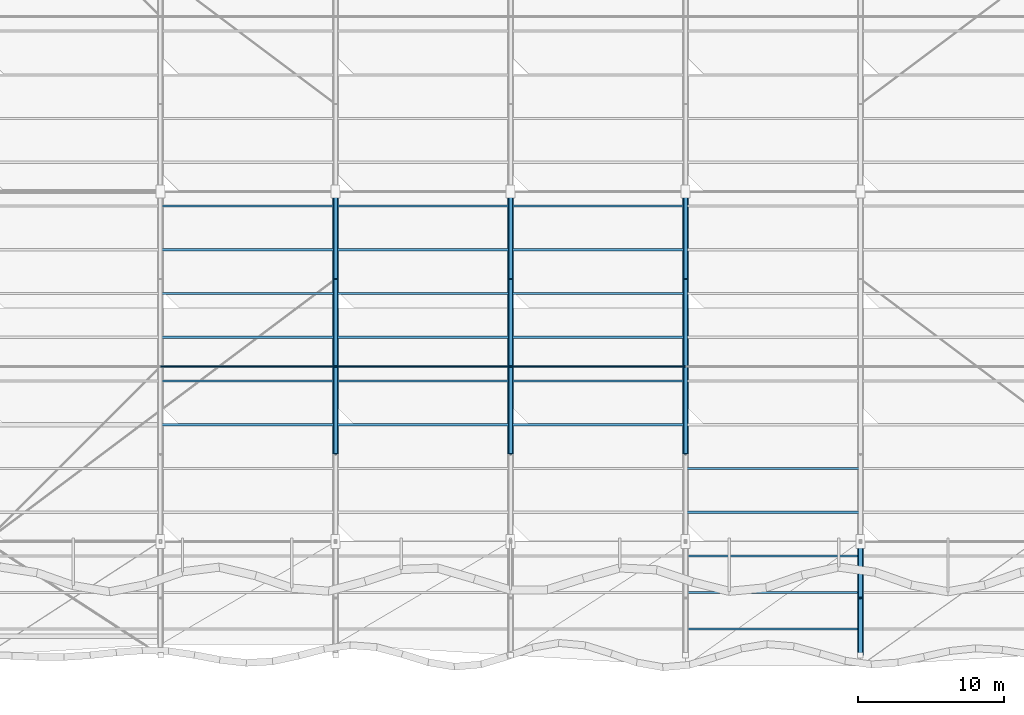
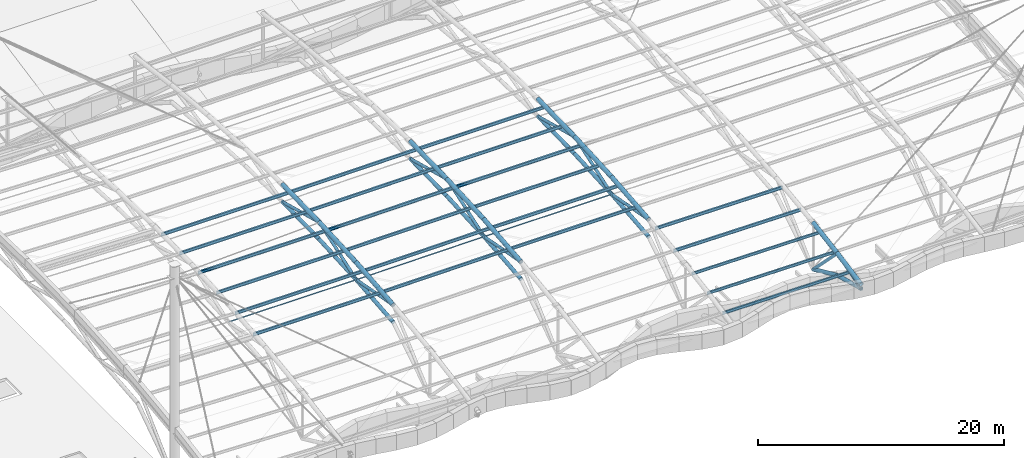
# One storey, part 9 of 29: 59 members.
"""IFC4 building model written with IfcOpenShell, lengths in metres."""

from ifc_helpers import new_model, si_unit, direction, frame, origin, origin_2d, place, context, subcontext, project, spatial, hollow_circle, i_section, extrude, material, material_profile, profile_set, type_object, element, save


model = new_model("IFC4")

# Units and contexts
model_context = context("Model", 3, precision=1e-05, world=origin(), true_north=direction((0.0, 1.0)))
body_context = subcontext(model_context, "Body", "Model", "MODEL_VIEW")
ifc_project = project(units=[si_unit("LENGTHUNIT", "METRE"), si_unit("AREAUNIT", "SQUARE_METRE"), si_unit("VOLUMEUNIT", "CUBIC_METRE"), si_unit("PLANEANGLEUNIT", "RADIAN"), si_unit("MASSUNIT", "GRAM", prefix="KILO")], contexts=[model_context])

# Site, building, storey
site_placement = place(None, origin())
site = spatial("IfcSite", under=ifc_project, at=site_placement, CompositionType="ELEMENT")
building_placement = place(site_placement, origin())
building = spatial("IfcBuilding", under=site, at=building_placement, Name="Keelwater Ferry Terminal", CompositionType="ELEMENT")
storey_placement = place(building_placement, frame((0.0, 0.0, 27.89990234375)))
storey = spatial("IfcBuildingStorey", under=building, at=storey_placement, Name="RF", CompositionType="ELEMENT", Elevation=27.89990234375)

# Members
ifc_material_1 = material(Name="Steel S355", Category="steel")
ifc_material_profile_1 = material_profile(ifc_material_1, hollow_circle(Radius=0.136474609375, WallThickness=0.012451171875, at=origin_2d()), Name="CHS 273x12.5")
ifc_profile_set_1 = profile_set([ifc_material_profile_1], Name="Steel S355")
member_type_1 = type_object("IfcMemberType", Name="BR2 CHS 273x12.5", PredefinedType="BRACE", material=ifc_profile_set_1)
member_1_placement = place(storey_placement, frame((72.0, 48.0, -7.637939453125), z_axis=(0.0, 0.982959013804, -0.183824854632), x_axis=(-1.0, 0.0, 0.0)))
element("IfcMember", 1, at=member_1_placement, inside=storey, type_object=member_type_1, Name="Structural Member MB-RF-0078", PredefinedType="BRACE", context=body_context, shape_type="SweptSolid", body=[
    extrude(hollow_circle(Radius=0.136474609375, WallThickness=0.012451171875, at=origin_2d()), origin(), (0.0, 0.0, 1.0), 6.10400390625),
])
member_2_placement = place(storey_placement, frame((72.0, 54.0, -8.760009765625), z_axis=(0.0, 0.946429966212, 0.322909149849), x_axis=(-1.0, 0.0, 0.0)))
element("IfcMember", 2, at=member_2_placement, inside=storey, type_object=member_type_1, Name="Structural Member MB-RF-0081", PredefinedType="BRACE", context=body_context, shape_type="SweptSolid", body=[
    extrude(hollow_circle(Radius=0.136474609375, WallThickness=0.012451171875, at=origin_2d()), origin(), (0.0, 0.0, 1.0), 6.339599609375),
])
member_3_placement = place(storey_placement, frame((72.0, 60.0, -6.712890625), z_axis=(0.0, 0.966835622723, -0.255399449166), x_axis=(-1.0, 0.0, 0.0)))
element("IfcMember", 3, at=member_3_placement, inside=storey, type_object=member_type_1, Name="Structural Member MB-RF-0084", PredefinedType="BRACE", context=body_context, shape_type="SweptSolid", body=[
    extrude(hollow_circle(Radius=0.136474609375, WallThickness=0.012451171875, at=origin_2d()), origin(), (0.0, 0.0, 1.0), 6.205810546875),
])
member_4_placement = place(storey_placement, frame((84.0, 48.0, -7.555908203125), z_axis=(0.0, 0.982959013804, -0.183824854632), x_axis=(-1.0, 0.0, 0.0)))
element("IfcMember", 4, at=member_4_placement, inside=storey, type_object=member_type_1, Name="Structural Member MB-RF-0110", PredefinedType="BRACE", context=body_context, shape_type="SweptSolid", body=[
    extrude(hollow_circle(Radius=0.136474609375, WallThickness=0.012451171875, at=origin_2d()), origin(), (0.0, 0.0, 1.0), 6.10400390625),
])
member_5_placement = place(storey_placement, frame((84.0, 54.0, -8.677978515625), z_axis=(0.0, 0.946429966212, 0.322909149849), x_axis=(-1.0, 0.0, 0.0)))
element("IfcMember", 5, at=member_5_placement, inside=storey, type_object=member_type_1, Name="Structural Member MB-RF-0113", PredefinedType="BRACE", context=body_context, shape_type="SweptSolid", body=[
    extrude(hollow_circle(Radius=0.136474609375, WallThickness=0.012451171875, at=origin_2d()), origin(), (0.0, 0.0, 1.0), 6.339599609375),
])
member_6_placement = place(storey_placement, frame((84.0, 60.0, -6.630859375), z_axis=(0.0, 0.96687447052, -0.255252342315), x_axis=(-1.0, 0.0, 0.0)))
element("IfcMember", 6, at=member_6_placement, inside=storey, type_object=member_type_1, Name="Structural Member MB-RF-0116", PredefinedType="BRACE", context=body_context, shape_type="SweptSolid", body=[
    extrude(hollow_circle(Radius=0.136474609375, WallThickness=0.012451171875, at=origin_2d()), origin(), (0.0, 0.0, 1.0), 6.20556640625),
])
member_7_placement = place(storey_placement, frame((96.0, 48.0, -7.555908203125), z_axis=(0.0, 0.982959013804, -0.183824854632), x_axis=(-1.0, 0.0, 0.0)))
element("IfcMember", 7, at=member_7_placement, inside=storey, type_object=member_type_1, Name="Structural Member MB-RF-0142", PredefinedType="BRACE", context=body_context, shape_type="SweptSolid", body=[
    extrude(hollow_circle(Radius=0.136474609375, WallThickness=0.012451171875, at=origin_2d()), origin(), (0.0, 0.0, 1.0), 6.10400390625),
])
member_8_placement = place(storey_placement, frame((96.0, 54.0, -8.677978515625), z_axis=(0.0, 0.946429966212, 0.322909149849), x_axis=(-1.0, 0.0, 0.0)))
element("IfcMember", 8, at=member_8_placement, inside=storey, type_object=member_type_1, Name="Structural Member MB-RF-0145", PredefinedType="BRACE", context=body_context, shape_type="SweptSolid", body=[
    extrude(hollow_circle(Radius=0.136474609375, WallThickness=0.012451171875, at=origin_2d()), origin(), (0.0, 0.0, 1.0), 6.339599609375),
])
member_9_placement = place(storey_placement, frame((96.0, 60.0, -6.630859375), z_axis=(0.0, 0.96687447052, -0.255252342315), x_axis=(-1.0, 0.0, 0.0)))
element("IfcMember", 9, at=member_9_placement, inside=storey, type_object=member_type_1, Name="Structural Member MB-RF-0148", PredefinedType="BRACE", context=body_context, shape_type="SweptSolid", body=[
    extrude(hollow_circle(Radius=0.136474609375, WallThickness=0.012451171875, at=origin_2d()), origin(), (0.0, 0.0, 1.0), 6.20556640625),
])
ifc_material_2 = material(Name="Steel S355", Category="steel")
ifc_material_profile_2 = material_profile(ifc_material_2, hollow_circle(Radius=0.136474609375, WallThickness=0.012451171875, at=origin_2d()), Name="CHS 273x12.5")
ifc_profile_set_2 = profile_set([ifc_material_profile_2], Name="Steel S355")
member_type_2 = type_object("IfcMemberType", Name="BR2E CHS 273x12.5", PredefinedType="BRACE", material=ifc_profile_set_2)
member_10_placement = place(storey_placement, frame((108.0, 34.199951171875, -10.245849609375), z_axis=(0.0, 0.959309065387, 0.282358136178), x_axis=(-1.0, 0.0, 0.0)))
element("IfcMember", 10, at=member_10_placement, inside=storey, type_object=member_type_2, Name="Structural Member MB-RF-0164", PredefinedType="BRACE", context=body_context, shape_type="SweptSolid", body=[
    extrude(hollow_circle(Radius=0.136474609375, WallThickness=0.012451171875, at=origin_2d()), origin(), (0.0, 0.0, 1.0), 4.065673828125),
])
member_11_placement = place(storey_placement, frame((108.0, 38.10009765625, -9.097900390625), z_axis=(0.0, 0.702408258848, -0.711774288593), x_axis=(-1.0, 0.0, 0.0)))
element("IfcMember", 11, at=member_11_placement, inside=storey, type_object=member_type_2, Name="Structural Member MB-RF-0167", PredefinedType="BRACE", context=body_context, shape_type="SweptSolid", body=[
    extrude(hollow_circle(Radius=0.136474609375, WallThickness=0.012451171875, at=origin_2d()), origin(), (0.0, 0.0, 1.0), 5.55224609375),
])
ifc_material_3 = material(Name="Steel S355", Category="steel")
ifc_material_profile_3 = material_profile(ifc_material_3, i_section(OverallWidth=0.14990234375, OverallDepth=0.300048828125, WebThickness=0.007080078125, FlangeThickness=0.0107421875, at=origin_2d()), Name="IPE 300")
ifc_profile_set_3 = profile_set([ifc_material_profile_3], Name="Steel S355")
member_type_3 = type_object("IfcMemberType", Name="PR1 IPE 300", PredefinedType="PURLIN", material=ifc_profile_set_3)
for number, where, z_axis, x_axis, name in (
    (12, (60.0, 50.0, -7.575927734375), (0.999999327586, 0.0, -0.001159667189), (0.0, 1.0, 0.0), "Structural Member MB-RF-0277"),
    (13, (60.0, 53.0, -7.2958984375), (0.999999327586, 0.0, -0.001159667189), (0.0, 1.0, 0.0), "Structural Member MB-RF-0278"),
    (14, (60.0, 56.0, -7.074951171875), (0.999999327586, 0.0, -0.001159667189), (0.0, 1.0, 0.0), "Structural Member MB-RF-0279"),
    (15, (60.0, 59.0, -6.910888671875), (0.999999327586, 0.0, -0.001159667189), (0.0, 1.0, 0.0), "Structural Member MB-RF-0280"),
    (16, (60.0, 62.0, -6.804931640625), (0.999999327586, 0.0, -0.001159667189), (0.0, 1.0, 0.0), "Structural Member MB-RF-0281"),
    (17, (60.0, 65.0, -6.7568359375), (0.999999303785, 0.0, -0.001180012199), (0.0, 1.0, 0.0), "Structural Member MB-RF-0282"),
):
    element("IfcMember", number, at=place(storey_placement, frame(where, z_axis=z_axis, x_axis=x_axis)), inside=storey, type_object=member_type_3, Name=name, PredefinedType="PURLIN", context=body_context, shape_type="SweptSolid", body=[
        extrude(i_section(OverallWidth=0.14990234375, OverallDepth=0.300048828125, WebThickness=0.007080078125, FlangeThickness=0.0107421875, at=origin_2d()), origin(), (0.0, 0.0, 1.0), 12.0),
    ])
for number, where, z_axis, x_axis, name in (
    (18, (72.0, 50.0, -7.58984375), (0.999976076216, 0.0, 0.00691715222), (0.0, 1.0, 0.0), "Structural Member MB-RF-0296"),
    (19, (72.0, 53.0, -7.309814453125), (0.999976635798, 0.0, 0.006835777784), (0.0, 1.0, 0.0), "Structural Member MB-RF-0297"),
    (20, (72.0, 56.0, -7.0888671875), (0.999976076216, 0.0, 0.00691715222), (0.0, 1.0, 0.0), "Structural Member MB-RF-0298"),
    (21, (72.0, 59.0, -6.9248046875), (0.999976774659, 0.0, 0.006815434153), (0.0, 1.0, 0.0), "Structural Member MB-RF-0299"),
    (22, (72.0, 62.0, -6.81884765625), (0.999976635798, 0.0, 0.006835777784), (0.0, 1.0, 0.0), "Structural Member MB-RF-0300"),
    (23, (72.0, 65.0, -6.77099609375), (0.999976076216, 0.0, 0.00691715222), (0.0, 1.0, 0.0), "Structural Member MB-RF-0301"),
):
    element("IfcMember", number, at=place(storey_placement, frame(where, z_axis=z_axis, x_axis=x_axis)), inside=storey, type_object=member_type_3, Name=name, PredefinedType="PURLIN", context=body_context, shape_type="SweptSolid", body=[
        extrude(i_section(OverallWidth=0.14990234375, OverallDepth=0.300048828125, WebThickness=0.007080078125, FlangeThickness=0.0107421875, at=origin_2d()), origin(), (0.0, 0.0, 1.0), 12.000244140625),
    ])
for number, where, z_axis, x_axis, name in (
    (24, (84.0, 50.0, -7.5068359375), (1.0, 0.0, 0.0), (0.0, 1.0, 0.0), "Structural Member MB-RF-0315"),
    (25, (84.0, 53.0, -7.227783203125), (1.0, 0.0, 0.0), (0.0, 1.0, 0.0), "Structural Member MB-RF-0316"),
    (26, (84.0, 56.0, -7.005859375), (1.0, 0.0, 0.0), (0.0, 1.0, 0.0), "Structural Member MB-RF-0317"),
    (27, (84.0, 59.0, -6.843017578125), (1.0, 0.0, 0.0), (0.0, 1.0, 0.0), "Structural Member MB-RF-0318"),
    (28, (84.0, 62.0, -6.73681640625), (1.0, 0.0, 0.0), (0.0, 1.0, 0.0), "Structural Member MB-RF-0319"),
    (29, (84.0, 65.0, -6.68798828125), (1.0, 0.0, 0.0), (0.0, 1.0, 0.0), "Structural Member MB-RF-0320"),
):
    element("IfcMember", number, at=place(storey_placement, frame(where, z_axis=z_axis, x_axis=x_axis)), inside=storey, type_object=member_type_3, Name=name, PredefinedType="PURLIN", context=body_context, shape_type="SweptSolid", body=[
        extrude(i_section(OverallWidth=0.14990234375, OverallDepth=0.300048828125, WebThickness=0.007080078125, FlangeThickness=0.0107421875, at=origin_2d()), origin(), (0.0, 0.0, 1.0), 12.0),
    ])
for number, where, z_axis, x_axis, name in (
    (30, (96.0, 44.0, -8.239990234375), (0.999976635798, 0.0, -0.006835777784), (0.0, 1.0, 0.0), "Structural Member MB-RF-0332"),
    (31, (96.0, 47.0, -7.844970703125), (0.999976635798, 0.0, -0.006835777784), (0.0, 1.0, 0.0), "Structural Member MB-RF-0333"),
):
    element("IfcMember", number, at=place(storey_placement, frame(where, z_axis=z_axis, x_axis=x_axis)), inside=storey, type_object=member_type_3, Name=name, PredefinedType="PURLIN", context=body_context, shape_type="SweptSolid", body=[
        extrude(i_section(OverallWidth=0.14990234375, OverallDepth=0.300048828125, WebThickness=0.007080078125, FlangeThickness=0.0107421875, at=origin_2d()), origin(), (0.0, 0.0, 1.0), 12.000244140625),
    ])
ifc_material_4 = material(Name="Steel S355", Category="steel")
ifc_material_profile_4 = material_profile(ifc_material_4, i_section(OverallWidth=0.135009765625, OverallDepth=0.27001953125, WebThickness=0.006591796875, FlangeThickness=0.01025390625, at=origin_2d()), Name="IPE 270")
ifc_profile_set_4 = profile_set([ifc_material_profile_4], Name="Steel S355")
member_type_4 = type_object("IfcMemberType", Name="PR2E IPE 270", PredefinedType="PURLIN", material=ifc_profile_set_4)
for number, where, z_axis, x_axis, name in (
    (32, (96.0, 36.0, -9.575927734375), (0.999976635798, 0.0, -0.006835777784), (0.0, 1.0, 0.0), "Structural Member MB-RF-0329"),
    (33, (96.0, 38.5, -9.114013671875), (0.999976076216, 0.0, -0.00691715222), (0.0, 1.0, 0.0), "Structural Member MB-RF-0330"),
    (34, (96.0, 41.0, -8.69287109375), (0.999976635798, 0.0, -0.006835777784), (0.0, 1.0, 0.0), "Structural Member MB-RF-0331"),
):
    element("IfcMember", number, at=place(storey_placement, frame(where, z_axis=z_axis, x_axis=x_axis)), inside=storey, type_object=member_type_4, Name=name, PredefinedType="PURLIN", context=body_context, shape_type="SweptSolid", body=[
        extrude(i_section(OverallWidth=0.135009765625, OverallDepth=0.27001953125, WebThickness=0.006591796875, FlangeThickness=0.01025390625, at=origin_2d()), origin(), (0.0, 0.0, 1.0), 12.000244140625),
    ])
ifc_material_5 = material(Name="Steel S460", Category="steel")
ifc_material_profile_5 = material_profile(ifc_material_5, hollow_circle(Radius=0.05712890625, WallThickness=0.010009765625, at=origin_2d()), Name="CHS 114.3x10")
ifc_profile_set_5 = profile_set([ifc_material_profile_5], Name="Steel S460")
member_type_5 = type_object("IfcMemberType", Name="SC3 CHS 114.3x10", PredefinedType="USERDEFINED", material=ifc_profile_set_5)
member_12_placement = place(storey_placement, frame((60.0, 54.0, -8.745849609375), z_axis=(0.999999303785, 0.0, -0.001180012199), x_axis=(0.0, 1.0, 0.0)))
element("IfcMember", 35, at=member_12_placement, inside=storey, type_object=member_type_5, Name="Structural Member MB-RF-0416", ObjectType="CABLE", PredefinedType="USERDEFINED", context=body_context, shape_type="SweptSolid", body=[
    extrude(hollow_circle(Radius=0.05712890625, WallThickness=0.010009765625, at=origin_2d()), origin(), (0.0, 0.0, 1.0), 12.0),
])
member_13_placement = place(storey_placement, frame((72.0, 54.0, -8.760009765625), z_axis=(0.999976635798, 0.0, 0.006835777784), x_axis=(0.0, 1.0, 0.0)))
element("IfcMember", 36, at=member_13_placement, inside=storey, type_object=member_type_5, Name="Structural Member MB-RF-0419", ObjectType="CABLE", PredefinedType="USERDEFINED", context=body_context, shape_type="SweptSolid", body=[
    extrude(hollow_circle(Radius=0.05712890625, WallThickness=0.010009765625, at=origin_2d()), origin(), (0.0, 0.0, 1.0), 12.000244140625),
])
member_14_placement = place(storey_placement, frame((84.0, 54.0, -8.677978515625), z_axis=(1.0, 0.0, 0.0), x_axis=(0.0, 1.0, 0.0)))
element("IfcMember", 37, at=member_14_placement, inside=storey, type_object=member_type_5, Name="Structural Member MB-RF-0422", ObjectType="CABLE", PredefinedType="USERDEFINED", context=body_context, shape_type="SweptSolid", body=[
    extrude(hollow_circle(Radius=0.05712890625, WallThickness=0.010009765625, at=origin_2d()), origin(), (0.0, 0.0, 1.0), 12.0),
])
ifc_material_6 = material(Name="Steel S355", Category="steel")
ifc_material_profile_6 = material_profile(ifc_material_6, hollow_circle(Radius=0.203125, WallThickness=0.01611328125, at=origin_2d()), Name="CHS 406.4x16")
ifc_profile_set_6 = profile_set([ifc_material_profile_6], Name="Steel S355")
member_type_6 = type_object("IfcMemberType", Name="TC1 CHS 406.4x16", PredefinedType="CHORD", material=ifc_profile_set_6)
member_15_placement = place(storey_placement, frame((72.0, 48.0, -7.637939453125), z_axis=(0.0, 0.995390012341, 0.095909975147), x_axis=(-1.0, 0.0, 0.0)))
element("IfcMember", 38, at=member_15_placement, inside=storey, type_object=member_type_6, Name="Structural Member MB-RF-0076", PredefinedType="CHORD", context=body_context, shape_type="SweptSolid", body=[
    extrude(hollow_circle(Radius=0.203125, WallThickness=0.01611328125, at=origin_2d()), origin(), (0.0, 0.0, 1.0), 6.02783203125),
])
member_16_placement = place(storey_placement, frame((72.0, 54.0, -7.059814453125), z_axis=(0.0, 0.998332566702, 0.057724225964), x_axis=(-1.0, 0.0, 0.0)))
element("IfcMember", 39, at=member_16_placement, inside=storey, type_object=member_type_6, Name="Structural Member MB-RF-0079", PredefinedType="CHORD", context=body_context, shape_type="SweptSolid", body=[
    extrude(hollow_circle(Radius=0.203125, WallThickness=0.01611328125, at=origin_2d()), origin(), (0.0, 0.0, 1.0), 6.010009765625),
])
member_17_placement = place(storey_placement, frame((72.0, 60.0, -6.712890625), z_axis=(0.0, 0.999816401214, 0.019161520385), x_axis=(-1.0, 0.0, 0.0)))
element("IfcMember", 40, at=member_17_placement, inside=storey, type_object=member_type_6, Name="Structural Member MB-RF-0082", PredefinedType="CHORD", context=body_context, shape_type="SweptSolid", body=[
    extrude(hollow_circle(Radius=0.203125, WallThickness=0.01611328125, at=origin_2d()), origin(), (0.0, 0.0, 1.0), 6.001220703125),
])
member_18_placement = place(storey_placement, frame((84.0, 48.0, -7.555908203125), z_axis=(0.0, 0.995390012341, 0.095909975147), x_axis=(-1.0, 0.0, 0.0)))
element("IfcMember", 41, at=member_18_placement, inside=storey, type_object=member_type_6, Name="Structural Member MB-RF-0108", PredefinedType="CHORD", context=body_context, shape_type="SweptSolid", body=[
    extrude(hollow_circle(Radius=0.203125, WallThickness=0.01611328125, at=origin_2d()), origin(), (0.0, 0.0, 1.0), 6.02783203125),
])
member_19_placement = place(storey_placement, frame((84.0, 54.0, -6.977783203125), z_axis=(0.0, 0.998332566702, 0.057724225964), x_axis=(-1.0, 0.0, 0.0)))
element("IfcMember", 42, at=member_19_placement, inside=storey, type_object=member_type_6, Name="Structural Member MB-RF-0111", PredefinedType="CHORD", context=body_context, shape_type="SweptSolid", body=[
    extrude(hollow_circle(Radius=0.203125, WallThickness=0.01611328125, at=origin_2d()), origin(), (0.0, 0.0, 1.0), 6.010009765625),
])
member_20_placement = place(storey_placement, frame((84.0, 60.0, -6.630859375), z_axis=(0.0, 0.999813270399, 0.019324190407), x_axis=(-1.0, 0.0, 0.0)))
element("IfcMember", 43, at=member_20_placement, inside=storey, type_object=member_type_6, Name="Structural Member MB-RF-0114", PredefinedType="CHORD", context=body_context, shape_type="SweptSolid", body=[
    extrude(hollow_circle(Radius=0.203125, WallThickness=0.01611328125, at=origin_2d()), origin(), (0.0, 0.0, 1.0), 6.001220703125),
])
member_21_placement = place(storey_placement, frame((96.0, 48.0, -7.555908203125), z_axis=(0.0, 0.995390012341, 0.095909975147), x_axis=(-1.0, 0.0, 0.0)))
element("IfcMember", 44, at=member_21_placement, inside=storey, type_object=member_type_6, Name="Structural Member MB-RF-0140", PredefinedType="CHORD", context=body_context, shape_type="SweptSolid", body=[
    extrude(hollow_circle(Radius=0.203125, WallThickness=0.01611328125, at=origin_2d()), origin(), (0.0, 0.0, 1.0), 6.02783203125),
])
member_22_placement = place(storey_placement, frame((96.0, 54.0, -6.977783203125), z_axis=(0.0, 0.998332566702, 0.057724225964), x_axis=(-1.0, 0.0, 0.0)))
element("IfcMember", 45, at=member_22_placement, inside=storey, type_object=member_type_6, Name="Structural Member MB-RF-0143", PredefinedType="CHORD", context=body_context, shape_type="SweptSolid", body=[
    extrude(hollow_circle(Radius=0.203125, WallThickness=0.01611328125, at=origin_2d()), origin(), (0.0, 0.0, 1.0), 6.010009765625),
])
member_23_placement = place(storey_placement, frame((96.0, 60.0, -6.630859375), z_axis=(0.0, 0.999813270399, 0.019324190407), x_axis=(-1.0, 0.0, 0.0)))
element("IfcMember", 46, at=member_23_placement, inside=storey, type_object=member_type_6, Name="Structural Member MB-RF-0146", PredefinedType="CHORD", context=body_context, shape_type="SweptSolid", body=[
    extrude(hollow_circle(Radius=0.203125, WallThickness=0.01611328125, at=origin_2d()), origin(), (0.0, 0.0, 1.0), 6.001220703125),
])
ifc_material_7 = material(Name="Steel S355", Category="steel")
ifc_material_profile_7 = material_profile(ifc_material_7, hollow_circle(Radius=0.203125, WallThickness=0.01611328125, at=origin_2d()), Name="CHS 406.4x16")
ifc_profile_set_7 = profile_set([ifc_material_profile_7], Name="Steel S355")
member_type_7 = type_object("IfcMemberType", Name="TC1E CHS 406.4x16", PredefinedType="CHORD", material=ifc_profile_set_7)
member_24_placement = place(storey_placement, frame((108.0, 34.199951171875, -9.845947265625), z_axis=(0.0, 0.982098851925, 0.188366252413), x_axis=(-1.0, 0.0, 0.0)))
element("IfcMember", 47, at=member_24_placement, inside=storey, type_object=member_type_7, Name="Structural Member MB-RF-0162", PredefinedType="CHORD", context=body_context, shape_type="SweptSolid", body=[
    extrude(hollow_circle(Radius=0.203125, WallThickness=0.01611328125, at=origin_2d()), origin(), (0.0, 0.0, 1.0), 3.97119140625),
])
member_25_placement = place(storey_placement, frame((108.0, 38.10009765625, -9.097900390625), z_axis=(0.0, 0.986397261476, 0.164378960188), x_axis=(-1.0, 0.0, 0.0)))
element("IfcMember", 48, at=member_25_placement, inside=storey, type_object=member_type_7, Name="Structural Member MB-RF-0165", PredefinedType="CHORD", context=body_context, shape_type="SweptSolid", body=[
    extrude(hollow_circle(Radius=0.203125, WallThickness=0.01611328125, at=origin_2d()), origin(), (0.0, 0.0, 1.0), 3.95361328125),
])
ifc_material_8 = material(Name="Steel S355", Category="steel")
ifc_material_profile_8 = material_profile(ifc_material_8, hollow_circle(Radius=0.177734375, WallThickness=0.01611328125, at=origin_2d()), Name="CHS 355.6x16")
ifc_profile_set_8 = profile_set([ifc_material_profile_8], Name="Steel S355")
member_type_8 = type_object("IfcMemberType", Name="TC2 CHS 355.6x16", PredefinedType="CHORD", material=ifc_profile_set_8)
member_26_placement = place(storey_placement, frame((72.0, 48.0, -9.337890625), z_axis=(0.0, 0.995393878235, 0.095869844962), x_axis=(-1.0, 0.0, 0.0)))
element("IfcMember", 49, at=member_26_placement, inside=storey, type_object=member_type_8, Name="Structural Member MB-RF-0077", PredefinedType="CHORD", context=body_context, shape_type="SweptSolid", body=[
    extrude(hollow_circle(Radius=0.177734375, WallThickness=0.01611328125, at=origin_2d()), origin(), (0.0, 0.0, 1.0), 6.02783203125),
])
member_27_placement = place(storey_placement, frame((72.0, 54.0, -8.760009765625), z_axis=(0.0, 0.998330224908, 0.05776471272), x_axis=(-1.0, 0.0, 0.0)))
element("IfcMember", 50, at=member_27_placement, inside=storey, type_object=member_type_8, Name="Structural Member MB-RF-0080", PredefinedType="CHORD", context=body_context, shape_type="SweptSolid", body=[
    extrude(hollow_circle(Radius=0.177734375, WallThickness=0.01611328125, at=origin_2d()), origin(), (0.0, 0.0, 1.0), 6.010009765625),
])
member_28_placement = place(storey_placement, frame((72.0, 60.0, -8.412841796875), z_axis=(0.0, 0.999816401214, 0.019161520385), x_axis=(-1.0, 0.0, 0.0)))
element("IfcMember", 51, at=member_28_placement, inside=storey, type_object=member_type_8, Name="Structural Member MB-RF-0083", PredefinedType="CHORD", context=body_context, shape_type="SweptSolid", body=[
    extrude(hollow_circle(Radius=0.177734375, WallThickness=0.01611328125, at=origin_2d()), origin(), (0.0, 0.0, 1.0), 6.001220703125),
])
member_29_placement = place(storey_placement, frame((84.0, 48.0, -9.255859375), z_axis=(0.0, 0.995393878235, 0.095869844962), x_axis=(-1.0, 0.0, 0.0)))
element("IfcMember", 52, at=member_29_placement, inside=storey, type_object=member_type_8, Name="Structural Member MB-RF-0109", PredefinedType="CHORD", context=body_context, shape_type="SweptSolid", body=[
    extrude(hollow_circle(Radius=0.177734375, WallThickness=0.01611328125, at=origin_2d()), origin(), (0.0, 0.0, 1.0), 6.02783203125),
])
member_30_placement = place(storey_placement, frame((84.0, 54.0, -8.677978515625), z_axis=(0.0, 0.998330224908, 0.05776471272), x_axis=(-1.0, 0.0, 0.0)))
element("IfcMember", 53, at=member_30_placement, inside=storey, type_object=member_type_8, Name="Structural Member MB-RF-0112", PredefinedType="CHORD", context=body_context, shape_type="SweptSolid", body=[
    extrude(hollow_circle(Radius=0.177734375, WallThickness=0.01611328125, at=origin_2d()), origin(), (0.0, 0.0, 1.0), 6.010009765625),
])
member_31_placement = place(storey_placement, frame((84.0, 60.0, -8.330810546875), z_axis=(0.0, 0.999813270399, 0.019324190407), x_axis=(-1.0, 0.0, 0.0)))
element("IfcMember", 54, at=member_31_placement, inside=storey, type_object=member_type_8, Name="Structural Member MB-RF-0115", PredefinedType="CHORD", context=body_context, shape_type="SweptSolid", body=[
    extrude(hollow_circle(Radius=0.177734375, WallThickness=0.01611328125, at=origin_2d()), origin(), (0.0, 0.0, 1.0), 6.001220703125),
])
member_32_placement = place(storey_placement, frame((96.0, 48.0, -9.255859375), z_axis=(0.0, 0.995393878235, 0.095869844962), x_axis=(-1.0, 0.0, 0.0)))
element("IfcMember", 55, at=member_32_placement, inside=storey, type_object=member_type_8, Name="Structural Member MB-RF-0141", PredefinedType="CHORD", context=body_context, shape_type="SweptSolid", body=[
    extrude(hollow_circle(Radius=0.177734375, WallThickness=0.01611328125, at=origin_2d()), origin(), (0.0, 0.0, 1.0), 6.02783203125),
])
member_33_placement = place(storey_placement, frame((96.0, 54.0, -8.677978515625), z_axis=(0.0, 0.998330224908, 0.05776471272), x_axis=(-1.0, 0.0, 0.0)))
element("IfcMember", 56, at=member_33_placement, inside=storey, type_object=member_type_8, Name="Structural Member MB-RF-0144", PredefinedType="CHORD", context=body_context, shape_type="SweptSolid", body=[
    extrude(hollow_circle(Radius=0.177734375, WallThickness=0.01611328125, at=origin_2d()), origin(), (0.0, 0.0, 1.0), 6.010009765625),
])
member_34_placement = place(storey_placement, frame((96.0, 60.0, -8.330810546875), z_axis=(0.0, 0.999813270399, 0.019324190407), x_axis=(-1.0, 0.0, 0.0)))
element("IfcMember", 57, at=member_34_placement, inside=storey, type_object=member_type_8, Name="Structural Member MB-RF-0147", PredefinedType="CHORD", context=body_context, shape_type="SweptSolid", body=[
    extrude(hollow_circle(Radius=0.177734375, WallThickness=0.01611328125, at=origin_2d()), origin(), (0.0, 0.0, 1.0), 6.001220703125),
])
ifc_material_9 = material(Name="Steel S355", Category="steel")
ifc_material_profile_9 = material_profile(ifc_material_9, hollow_circle(Radius=0.177734375, WallThickness=0.01611328125, at=origin_2d()), Name="CHS 355.6x16")
ifc_profile_set_9 = profile_set([ifc_material_profile_9], Name="Steel S355")
member_type_9 = type_object("IfcMemberType", Name="TC2E CHS 355.6x16", PredefinedType="CHORD", material=ifc_profile_set_9)
member_35_placement = place(storey_placement, frame((108.0, 34.199951171875, -10.245849609375), z_axis=(0.0, 0.966969389537, -0.25489252578), x_axis=(-1.0, 0.0, 0.0)))
element("IfcMember", 58, at=member_35_placement, inside=storey, type_object=member_type_9, Name="Structural Member MB-RF-0163", PredefinedType="CHORD", context=body_context, shape_type="SweptSolid", body=[
    extrude(hollow_circle(Radius=0.177734375, WallThickness=0.01611328125, at=origin_2d()), origin(), (0.0, 0.0, 1.0), 4.033447265625),
])
member_36_placement = place(storey_placement, frame((108.0, 38.10009765625, -11.27392578125), z_axis=(0.0, 0.910085305311, -0.414420965997), x_axis=(-1.0, 0.0, 0.0)))
element("IfcMember", 59, at=member_36_placement, inside=storey, type_object=member_type_9, Name="Structural Member MB-RF-0166", PredefinedType="CHORD", context=body_context, shape_type="SweptSolid", body=[
    extrude(hollow_circle(Radius=0.177734375, WallThickness=0.01611328125, at=origin_2d()), origin(), (0.0, 0.0, 1.0), 4.28515625),
])

save(model, "model.ifc")
